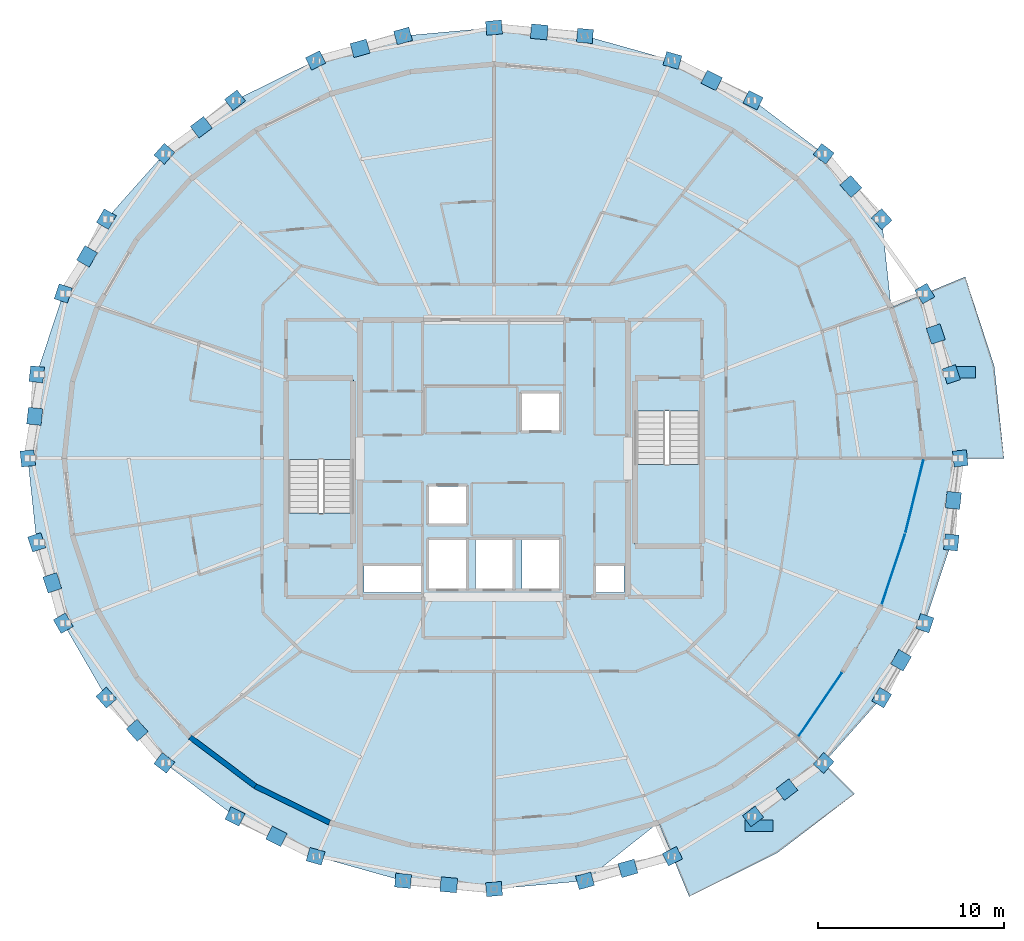
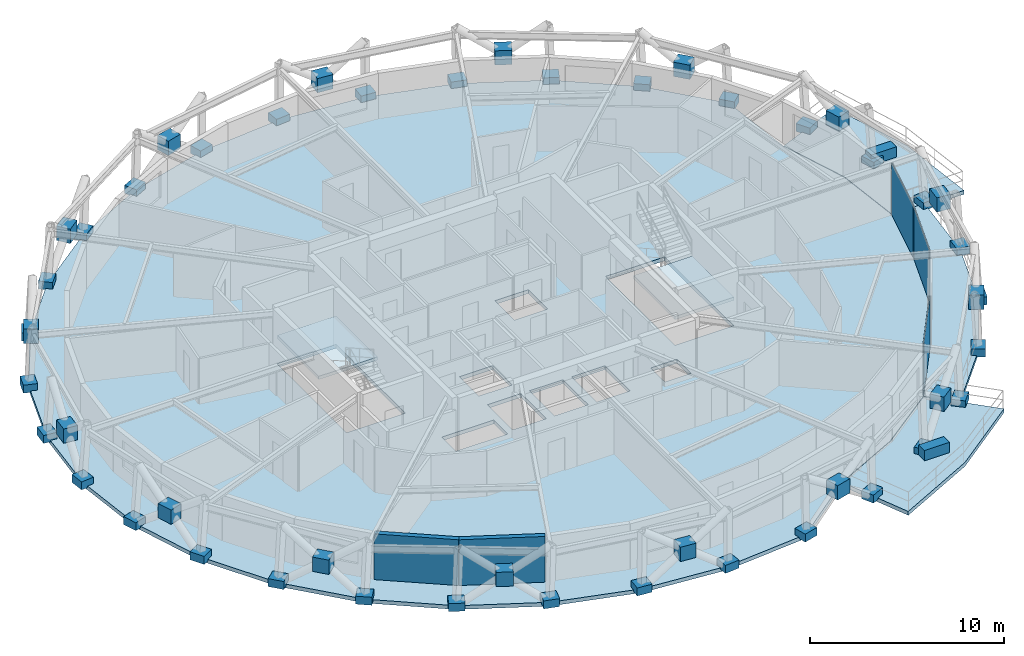
# One storey, part 6 of 12: 53 plates, 6 slabs, 2 walls, 4 elements without a shape of their own.
"""IFC4 building model written with IfcOpenShell, lengths in metres."""

from ifc_helpers import new_model, si_unit, direction, frame, frame_2d, origin, origin_2d, place, context, subcontext, project, spatial, polyline, rectangle, outline, extrude, material, layer, layer_set, type_object, element, aggregate, save


model = new_model("IFC4")

# Units and contexts
model_context = context("Model", 3, precision=1e-05, world=origin(), true_north=direction((0.0, 1.0)))
body_context = subcontext(model_context, "Body", "Model", "MODEL_VIEW")
ifc_project = project(units=[si_unit("LENGTHUNIT", "METRE"), si_unit("AREAUNIT", "SQUARE_METRE"), si_unit("VOLUMEUNIT", "CUBIC_METRE"), si_unit("PLANEANGLEUNIT", "RADIAN"), si_unit("MASSUNIT", "GRAM", prefix="KILO")], contexts=[model_context])

# Site, building, storey
site_placement = place(None, origin())
site = spatial("IfcSite", under=ifc_project, at=site_placement, CompositionType="ELEMENT")
building_placement = place(site_placement, origin())
building = spatial("IfcBuilding", under=site, at=building_placement, Name="Veldorina Hangang Commons", CompositionType="ELEMENT")
storey_placement = place(building_placement, frame((0.0, 0.0, 222.0)))
storey = spatial("IfcBuildingStorey", under=building, at=storey_placement, Name="L57", CompositionType="ELEMENT", Elevation=222.0)

# Curtain wall, plate
ifc_material_1 = material(Name="Glass Low-E Selective", Category="glass")
ifc_layer_1 = layer(ifc_material_1, 0.179931640625)
ifc_layer_set_1 = layer_set([ifc_layer_1], Name="Glass Low-E Selective")
curtain_wall_type = type_object("IfcCurtainWallType", Name="CW-SYS-Z3", PredefinedType="NOTDEFINED", material=ifc_layer_set_1)
curtain_wall_1_placement = place(storey_placement, origin())
curtain_wall_1 = element("IfcCurtainWall", 1, at=curtain_wall_1_placement, inside=storey, type_object=curtain_wall_type, Name="L57 unitised curtain wall CW-L57-R1", PredefinedType="NOTDEFINED")
ifc_material_2 = material(Name="Glass Low-E Triple IGU", Category="glass")
ifc_layer_2 = layer(ifc_material_2, 0.0400390625)
ifc_layer_set_2 = layer_set([ifc_layer_2], Name="Glass Low-E Triple IGU")
plate_type_1 = type_object("IfcPlateType", Name="CW-PNL-VIS", PredefinedType="CURTAIN_PANEL", material=ifc_layer_set_2)
plate_1_placement = place(storey_placement, frame((49.5419921875, 10.774658203125, 0.014892578125), z_axis=(0.0, 0.0, 1.0), x_axis=(0.564261150491, 0.825596362665, 0.0)))
plate_1 = element("IfcPlate", 2, at=plate_1_placement, type_object=plate_type_1, Name="CW-L57-R1 facet 1 glazed vision panel", PredefinedType="CURTAIN_PANEL", context=body_context, shape_type="SweptSolid", body=[
    extrude(rectangle(XDim=4.087158203125, YDim=0.0400390625, at=origin_2d()), origin(), (0.0, 0.0, 1.0), 3.2900390625),
])
aggregate(curtain_wall_1, [plate_1])

# Curtain wall, plates
curtain_wall_2_placement = place(storey_placement, origin())
curtain_wall_2 = element("IfcCurtainWall", 3, at=curtain_wall_2_placement, inside=storey, type_object=curtain_wall_type, Name="L57 unitised curtain wall CW-L57-R2", PredefinedType="NOTDEFINED")
plate_2_placement = place(storey_placement, frame((53.470703125, 18.038818359375, 0.014892578125), z_axis=(0.0, 0.0, 1.0), x_axis=(0.314622069686, 0.949217021163, 0.0)))
plate_2 = element("IfcPlate", 4, at=plate_2_placement, type_object=plate_type_1, Name="CW-L57-R2 facet 1 glazed vision panel", PredefinedType="CURTAIN_PANEL", context=body_context, shape_type="SweptSolid", body=[
    extrude(rectangle(XDim=3.89794921875, YDim=0.0400390625, at=origin_2d()), origin(), (0.0, 0.0, 1.0), 3.2900390625),
])
plate_3_placement = place(storey_placement, frame((54.60888671875, 21.9873046875, 0.014892578125), z_axis=(0.0, 0.0, 1.0), x_axis=(0.239533350884, 0.970888136612, 0.0)))
plate_3 = element("IfcPlate", 5, at=plate_3_placement, type_object=plate_type_1, Name="CW-L57-R2 facet 2 glazed vision panel", PredefinedType="CURTAIN_PANEL", context=body_context, shape_type="SweptSolid", body=[
    extrude(rectangle(XDim=3.96630859375, YDim=0.0400390625, at=origin_2d()), origin(), (0.0, 0.0, 1.0), 3.2900390625),
])
aggregate(curtain_wall_2, [plate_2, plate_3])

# Plates
ifc_material_3 = material(Name="Steel SM460-TMC", Category="steel")
ifc_layer_3 = layer(ifc_material_3, 0.035888671875)
ifc_layer_set_3 = layer_set([ifc_layer_3], Name="Steel SM460-TMC")
plate_type_2 = type_object("IfcPlateType", Name="PL-STAR-36", PredefinedType="USERDEFINED", material=ifc_layer_set_3)
for number, where, z_axis, x_axis, name in (
    (6, (57.0654296875, 24.0, -0.090087890625), (0.0, 0.0, 1.0), (-0.106021105572, 0.99436387966, 0.0), "L57 diagrid star-node gusset plate 00"),
    (7, (56.583984375, 28.51708984375, -0.090087890625), (0.0, 0.0, 1.0), (-0.312003296688, 0.950081019101, 0.0), "L57 diagrid star-node gusset plate 01"),
):
    element("IfcPlate", number, at=place(storey_placement, frame(where, z_axis=z_axis, x_axis=x_axis)), inside=storey, type_object=plate_type_2, Name=name, ObjectType="GUSSET PLATE", PredefinedType="USERDEFINED", context=body_context, shape_type="SweptSolid", body=[
        extrude(rectangle(XDim=0.85009765625, YDim=0.75, at=origin_2d()), origin(), (0.0, 0.0, 1.0), 0.5),
    ])
plate_4_placement = place(storey_placement, frame((55.747802734375, 30.688232421875, 1.3515625), z_axis=(0.0, 0.0, 1.0), x_axis=(-0.312003296688, 0.950081019101, 0.0)))
element("IfcPlate", 8, at=plate_4_placement, inside=storey, type_object=plate_type_2, Name="L57 diagrid X-crossing star-node gusset plate 01", ObjectType="GUSSET PLATE", PredefinedType="USERDEFINED", context=body_context, shape_type="SweptSolid", body=[
    extrude(rectangle(XDim=0.89990234375, YDim=0.780029296875, at=origin_2d()), origin(), (0.0, 0.0, 1.0), 0.89990234375),
])
for number, where, z_axis, x_axis, name in (
    (9, (55.157470703125, 32.86083984375, -0.090087890625), (0.0, 0.0, 1.0), (-0.500815987527, 0.865553780326, 0.0), "L57 diagrid star-node gusset plate 02"),
    (10, (52.84130859375, 36.864013671875, -0.090087890625), (0.0, 0.0, 1.0), (-0.66417415538, 0.747577883116, 0.0), "L57 diagrid star-node gusset plate 03"),
):
    element("IfcPlate", number, at=place(storey_placement, frame(where, z_axis=z_axis, x_axis=x_axis)), inside=storey, type_object=plate_type_2, Name=name, ObjectType="GUSSET PLATE", PredefinedType="USERDEFINED", context=body_context, shape_type="SweptSolid", body=[
        extrude(rectangle(XDim=0.85009765625, YDim=0.75, at=origin_2d()), origin(), (0.0, 0.0, 1.0), 0.5),
    ])
plate_5_placement = place(storey_placement, frame((51.184814453125, 38.618408203125, 1.3544921875), z_axis=(0.0, 0.0, 1.0), x_axis=(-0.66417415538, 0.747577883116, 0.0)))
element("IfcPlate", 11, at=plate_5_placement, inside=storey, type_object=plate_type_2, Name="L57 diagrid X-crossing star-node gusset plate 03", ObjectType="GUSSET PLATE", PredefinedType="USERDEFINED", context=body_context, shape_type="SweptSolid", body=[
    extrude(rectangle(XDim=0.89990234375, YDim=0.780029296875, at=origin_2d()), origin(), (0.0, 0.0, 1.0), 0.89990234375),
])
for number, where, z_axis, x_axis, name in (
    (12, (49.72412109375, 40.372802734375, -0.090087890625), (0.0, 0.0, 1.0), (-0.796888554096, 0.604126338071, 0.0), "L57 diagrid star-node gusset plate 04"),
    (13, (45.925537109375, 43.252197265625, -0.090087890625), (0.0, 0.0, 1.0), (-0.896648764238, 0.442742581633, 0.0), "L57 diagrid star-node gusset plate 05"),
):
    element("IfcPlate", number, at=place(storey_placement, frame(where, z_axis=z_axis, x_axis=x_axis)), inside=storey, type_object=plate_type_2, Name=name, ObjectType="GUSSET PLATE", PredefinedType="USERDEFINED", context=body_context, shape_type="SweptSolid", body=[
        extrude(rectangle(XDim=0.85009765625, YDim=0.75, at=origin_2d()), origin(), (0.0, 0.0, 1.0), 0.5),
    ])
plate_6_placement = place(storey_placement, frame((43.69873046875, 44.321044921875, 1.357666015625), z_axis=(0.0, 0.0, 1.0), x_axis=(-0.896648764238, 0.442742581633, 0.0)))
element("IfcPlate", 14, at=plate_6_placement, inside=storey, type_object=plate_type_2, Name="L57 diagrid X-crossing star-node gusset plate 05", ObjectType="GUSSET PLATE", PredefinedType="USERDEFINED", context=body_context, shape_type="SweptSolid", body=[
    extrude(rectangle(XDim=0.89990234375, YDim=0.780029296875, at=origin_2d()), origin(), (0.0, 0.0, 1.0), 0.89990234375),
])
for number, where, z_axis, x_axis, name in (
    (15, (41.59228515625, 45.39208984375, -0.090087890625), (0.0, 0.0, 1.0), (-0.962913397335, 0.26981065441, 0.0), "L57 diagrid star-node gusset plate 06"),
    (16, (36.889892578125, 46.709716796875, -0.090087890625), (0.0, 0.0, 1.0), (-0.995885980301, 0.090615198722, 0.0), "L57 diagrid star-node gusset plate 07"),
):
    element("IfcPlate", number, at=place(storey_placement, frame(where, z_axis=z_axis, x_axis=x_axis)), inside=storey, type_object=plate_type_2, Name=name, ObjectType="GUSSET PLATE", PredefinedType="USERDEFINED", context=body_context, shape_type="SweptSolid", body=[
        extrude(rectangle(XDim=0.85009765625, YDim=0.75, at=origin_2d()), origin(), (0.0, 0.0, 1.0), 0.5),
    ])
plate_7_placement = place(storey_placement, frame((34.43212890625, 46.927001953125, 1.359619140625), z_axis=(0.0, 0.0, 1.0), x_axis=(-0.995885980301, 0.090615198722, 0.0)))
element("IfcPlate", 17, at=plate_7_placement, inside=storey, type_object=plate_type_2, Name="L57 diagrid X-crossing star-node gusset plate 07", ObjectType="GUSSET PLATE", PredefinedType="USERDEFINED", context=body_context, shape_type="SweptSolid", body=[
    extrude(rectangle(XDim=0.89990234375, YDim=0.780029296875, at=origin_2d()), origin(), (0.0, 0.0, 1.0), 0.89990234375),
])
for number, where, z_axis, x_axis, name in (
    (18, (32.0, 47.154541015625, -0.090087890625), (0.0, 0.0, 1.0), (-0.995885980301, -0.090615198722, 0.0), "L57 diagrid star-node gusset plate 08"),
    (19, (27.110107421875, 46.709716796875, -0.090087890625), (0.0, 0.0, 1.0), (-0.962913397335, -0.26981065441, 0.0), "L57 diagrid star-node gusset plate 09"),
):
    element("IfcPlate", number, at=place(storey_placement, frame(where, z_axis=z_axis, x_axis=x_axis)), inside=storey, type_object=plate_type_2, Name=name, ObjectType="GUSSET PLATE", PredefinedType="USERDEFINED", context=body_context, shape_type="SweptSolid", body=[
        extrude(rectangle(XDim=0.85009765625, YDim=0.75, at=origin_2d()), origin(), (0.0, 0.0, 1.0), 0.5),
    ])
plate_8_placement = place(storey_placement, frame((24.798095703125, 46.0419921875, 1.35888671875), z_axis=(0.0, 0.0, 1.0), x_axis=(-0.962913397335, -0.26981065441, 0.0)))
element("IfcPlate", 20, at=plate_8_placement, inside=storey, type_object=plate_type_2, Name="L57 diagrid X-crossing star-node gusset plate 09", ObjectType="GUSSET PLATE", PredefinedType="USERDEFINED", context=body_context, shape_type="SweptSolid", body=[
    extrude(rectangle(XDim=0.89990234375, YDim=0.780029296875, at=origin_2d()), origin(), (0.0, 0.0, 1.0), 0.89990234375),
])
for number, where, z_axis, x_axis, name in (
    (21, (22.40771484375, 45.39208984375, -0.090087890625), (0.0, 0.0, 1.0), (-0.896648764238, -0.442742581633, 0.0), "L57 diagrid star-node gusset plate 10"),
    (22, (18.074462890625, 43.252197265625, -0.090087890625), (0.0, 0.0, 1.0), (-0.796888554096, -0.604126338071, 0.0), "L57 diagrid star-node gusset plate 11"),
):
    element("IfcPlate", number, at=place(storey_placement, frame(where, z_axis=z_axis, x_axis=x_axis)), inside=storey, type_object=plate_type_2, Name=name, ObjectType="GUSSET PLATE", PredefinedType="USERDEFINED", context=body_context, shape_type="SweptSolid", body=[
        extrude(rectangle(XDim=0.85009765625, YDim=0.75, at=origin_2d()), origin(), (0.0, 0.0, 1.0), 0.5),
    ])
plate_9_placement = place(storey_placement, frame((16.2626953125, 41.80322265625, 1.356201171875), z_axis=(0.0, 0.0, 1.0), x_axis=(-0.796888554096, -0.604126338071, 0.0)))
element("IfcPlate", 23, at=plate_9_placement, inside=storey, type_object=plate_type_2, Name="L57 diagrid X-crossing star-node gusset plate 11", ObjectType="GUSSET PLATE", PredefinedType="USERDEFINED", context=body_context, shape_type="SweptSolid", body=[
    extrude(rectangle(XDim=0.89990234375, YDim=0.780029296875, at=origin_2d()), origin(), (0.0, 0.0, 1.0), 0.89990234375),
])
for number, where, z_axis, x_axis, name in (
    (24, (14.27587890625, 40.372802734375, -0.090087890625), (0.0, 0.0, 1.0), (-0.66417415538, -0.747577883116, 0.0), "L57 diagrid star-node gusset plate 12"),
    (25, (11.15869140625, 36.864013671875, -0.090087890625), (0.0, 0.0, 1.0), (-0.500815987527, -0.865553780326, 0.0), "L57 diagrid star-node gusset plate 13"),
):
    element("IfcPlate", number, at=place(storey_placement, frame(where, z_axis=z_axis, x_axis=x_axis)), inside=storey, type_object=plate_type_2, Name=name, ObjectType="GUSSET PLATE", PredefinedType="USERDEFINED", context=body_context, shape_type="SweptSolid", body=[
        extrude(rectangle(XDim=0.85009765625, YDim=0.75, at=origin_2d()), origin(), (0.0, 0.0, 1.0), 0.5),
    ])
plate_10_placement = place(storey_placement, frame((10.121337890625, 34.85693359375, 1.352783203125), z_axis=(0.0, 0.0, 1.0), x_axis=(-0.500815987527, -0.865553780326, 0.0)))
element("IfcPlate", 26, at=plate_10_placement, inside=storey, type_object=plate_type_2, Name="L57 diagrid X-crossing star-node gusset plate 13", ObjectType="GUSSET PLATE", PredefinedType="USERDEFINED", context=body_context, shape_type="SweptSolid", body=[
    extrude(rectangle(XDim=0.89990234375, YDim=0.780029296875, at=origin_2d()), origin(), (0.0, 0.0, 1.0), 0.89990234375),
])
for number, where, z_axis, x_axis, name in (
    (27, (8.842529296875, 32.86083984375, -0.090087890625), (0.0, 0.0, 1.0), (-0.312003296688, -0.950081019101, 0.0), "L57 diagrid star-node gusset plate 14"),
    (28, (7.416015625, 28.51708984375, -0.090087890625), (0.0, 0.0, 1.0), (-0.106021105572, -0.99436387966, 0.0), "L57 diagrid star-node gusset plate 15"),
):
    element("IfcPlate", number, at=place(storey_placement, frame(where, z_axis=z_axis, x_axis=x_axis)), inside=storey, type_object=plate_type_2, Name=name, ObjectType="GUSSET PLATE", PredefinedType="USERDEFINED", context=body_context, shape_type="SweptSolid", body=[
        extrude(rectangle(XDim=0.85009765625, YDim=0.75, at=origin_2d()), origin(), (0.0, 0.0, 1.0), 0.5),
    ])
plate_11_placement = place(storey_placement, frame((7.3076171875, 26.2578125, 1.3505859375), z_axis=(0.0, 0.0, 1.0), x_axis=(-0.106021105572, -0.99436387966, 0.0)))
element("IfcPlate", 29, at=plate_11_placement, inside=storey, type_object=plate_type_2, Name="L57 diagrid X-crossing star-node gusset plate 15", ObjectType="GUSSET PLATE", PredefinedType="USERDEFINED", context=body_context, shape_type="SweptSolid", body=[
    extrude(rectangle(XDim=0.89990234375, YDim=0.780029296875, at=origin_2d()), origin(), (0.0, 0.0, 1.0), 0.89990234375),
])
for number, where, z_axis, x_axis, name in (
    (30, (6.9345703125, 24.0, -0.090087890625), (0.0, 0.0, 1.0), (0.106021105572, -0.99436387966, 0.0), "L57 diagrid star-node gusset plate 16"),
    (31, (7.416015625, 19.48291015625, -0.090087890625), (0.0, 0.0, 1.0), (0.312003296688, -0.950081019101, 0.0), "L57 diagrid star-node gusset plate 17"),
):
    element("IfcPlate", number, at=place(storey_placement, frame(where, z_axis=z_axis, x_axis=x_axis)), inside=storey, type_object=plate_type_2, Name=name, ObjectType="GUSSET PLATE", PredefinedType="USERDEFINED", context=body_context, shape_type="SweptSolid", body=[
        extrude(rectangle(XDim=0.85009765625, YDim=0.75, at=origin_2d()), origin(), (0.0, 0.0, 1.0), 0.5),
    ])
plate_12_placement = place(storey_placement, frame((8.252197265625, 17.311767578125, 1.3515625), z_axis=(0.0, 0.0, 1.0), x_axis=(0.312003296688, -0.950081019101, 0.0)))
element("IfcPlate", 32, at=plate_12_placement, inside=storey, type_object=plate_type_2, Name="L57 diagrid X-crossing star-node gusset plate 17", ObjectType="GUSSET PLATE", PredefinedType="USERDEFINED", context=body_context, shape_type="SweptSolid", body=[
    extrude(rectangle(XDim=0.89990234375, YDim=0.780029296875, at=origin_2d()), origin(), (0.0, 0.0, 1.0), 0.89990234375),
])
for number, where, z_axis, x_axis, name in (
    (33, (8.842529296875, 15.13916015625, -0.090087890625), (0.0, 0.0, 1.0), (0.500815987527, -0.865553780326, 0.0), "L57 diagrid star-node gusset plate 18"),
    (34, (11.15869140625, 11.135986328125, -0.090087890625), (0.0, 0.0, 1.0), (0.66417415538, -0.747577883116, 0.0), "L57 diagrid star-node gusset plate 19"),
):
    element("IfcPlate", number, at=place(storey_placement, frame(where, z_axis=z_axis, x_axis=x_axis)), inside=storey, type_object=plate_type_2, Name=name, ObjectType="GUSSET PLATE", PredefinedType="USERDEFINED", context=body_context, shape_type="SweptSolid", body=[
        extrude(rectangle(XDim=0.85009765625, YDim=0.75, at=origin_2d()), origin(), (0.0, 0.0, 1.0), 0.5),
    ])
plate_13_placement = place(storey_placement, frame((12.815185546875, 9.381591796875, 1.3544921875), z_axis=(0.0, 0.0, 1.0), x_axis=(0.66417415538, -0.747577883116, 0.0)))
element("IfcPlate", 35, at=plate_13_placement, inside=storey, type_object=plate_type_2, Name="L57 diagrid X-crossing star-node gusset plate 19", ObjectType="GUSSET PLATE", PredefinedType="USERDEFINED", context=body_context, shape_type="SweptSolid", body=[
    extrude(rectangle(XDim=0.89990234375, YDim=0.780029296875, at=origin_2d()), origin(), (0.0, 0.0, 1.0), 0.89990234375),
])
for number, where, z_axis, x_axis, name in (
    (36, (14.27587890625, 7.627197265625, -0.090087890625), (0.0, 0.0, 1.0), (0.796888554096, -0.604126338071, 0.0), "L57 diagrid star-node gusset plate 20"),
    (37, (18.074462890625, 4.747802734375, -0.090087890625), (0.0, 0.0, 1.0), (0.896648764238, -0.442742581633, 0.0), "L57 diagrid star-node gusset plate 21"),
):
    element("IfcPlate", number, at=place(storey_placement, frame(where, z_axis=z_axis, x_axis=x_axis)), inside=storey, type_object=plate_type_2, Name=name, ObjectType="GUSSET PLATE", PredefinedType="USERDEFINED", context=body_context, shape_type="SweptSolid", body=[
        extrude(rectangle(XDim=0.85009765625, YDim=0.75, at=origin_2d()), origin(), (0.0, 0.0, 1.0), 0.5),
    ])
plate_14_placement = place(storey_placement, frame((20.30126953125, 3.678955078125, 1.357666015625), z_axis=(0.0, 0.0, 1.0), x_axis=(0.896648764238, -0.442742581633, 0.0)))
element("IfcPlate", 38, at=plate_14_placement, inside=storey, type_object=plate_type_2, Name="L57 diagrid X-crossing star-node gusset plate 21", ObjectType="GUSSET PLATE", PredefinedType="USERDEFINED", context=body_context, shape_type="SweptSolid", body=[
    extrude(rectangle(XDim=0.89990234375, YDim=0.780029296875, at=origin_2d()), origin(), (0.0, 0.0, 1.0), 0.89990234375),
])
for number, where, z_axis, x_axis, name in (
    (39, (22.40771484375, 2.60791015625, -0.090087890625), (0.0, 0.0, 1.0), (0.962913397335, -0.26981065441, 0.0), "L57 diagrid star-node gusset plate 22"),
    (40, (27.110107421875, 1.290283203125, -0.090087890625), (0.0, 0.0, 1.0), (0.995885980301, -0.090615198722, 0.0), "L57 diagrid star-node gusset plate 23"),
):
    element("IfcPlate", number, at=place(storey_placement, frame(where, z_axis=z_axis, x_axis=x_axis)), inside=storey, type_object=plate_type_2, Name=name, ObjectType="GUSSET PLATE", PredefinedType="USERDEFINED", context=body_context, shape_type="SweptSolid", body=[
        extrude(rectangle(XDim=0.85009765625, YDim=0.75, at=origin_2d()), origin(), (0.0, 0.0, 1.0), 0.5),
    ])
plate_15_placement = place(storey_placement, frame((29.56787109375, 1.072998046875, 1.359619140625), z_axis=(0.0, 0.0, 1.0), x_axis=(0.995885980301, -0.090615198722, 0.0)))
element("IfcPlate", 41, at=plate_15_placement, inside=storey, type_object=plate_type_2, Name="L57 diagrid X-crossing star-node gusset plate 23", ObjectType="GUSSET PLATE", PredefinedType="USERDEFINED", context=body_context, shape_type="SweptSolid", body=[
    extrude(rectangle(XDim=0.89990234375, YDim=0.780029296875, at=origin_2d()), origin(), (0.0, 0.0, 1.0), 0.89990234375),
])
for number, where, z_axis, x_axis, name in (
    (42, (32.0, 0.845458984375, -0.090087890625), (0.0, 0.0, 1.0), (0.995885980301, 0.090615198722, 0.0), "L57 diagrid star-node gusset plate 24"),
    (43, (36.889892578125, 1.290283203125, -0.090087890625), (0.0, 0.0, 1.0), (0.962913397335, 0.26981065441, 0.0), "L57 diagrid star-node gusset plate 25"),
):
    element("IfcPlate", number, at=place(storey_placement, frame(where, z_axis=z_axis, x_axis=x_axis)), inside=storey, type_object=plate_type_2, Name=name, ObjectType="GUSSET PLATE", PredefinedType="USERDEFINED", context=body_context, shape_type="SweptSolid", body=[
        extrude(rectangle(XDim=0.85009765625, YDim=0.75, at=origin_2d()), origin(), (0.0, 0.0, 1.0), 0.5),
    ])
plate_16_placement = place(storey_placement, frame((39.201904296875, 1.9580078125, 1.35888671875), z_axis=(0.0, 0.0, 1.0), x_axis=(0.962913397335, 0.26981065441, 0.0)))
element("IfcPlate", 44, at=plate_16_placement, inside=storey, type_object=plate_type_2, Name="L57 diagrid X-crossing star-node gusset plate 25", ObjectType="GUSSET PLATE", PredefinedType="USERDEFINED", context=body_context, shape_type="SweptSolid", body=[
    extrude(rectangle(XDim=0.89990234375, YDim=0.780029296875, at=origin_2d()), origin(), (0.0, 0.0, 1.0), 0.89990234375),
])
for number, where, z_axis, x_axis, name in (
    (45, (41.59228515625, 2.60791015625, -0.090087890625), (0.0, 0.0, 1.0), (0.896648764238, 0.442742581633, 0.0), "L57 diagrid star-node gusset plate 26"),
    (46, (45.925537109375, 4.747802734375, -0.090087890625), (0.0, 0.0, 1.0), (0.796888554096, 0.604126338071, 0.0), "L57 diagrid star-node gusset plate 27"),
):
    element("IfcPlate", number, at=place(storey_placement, frame(where, z_axis=z_axis, x_axis=x_axis)), inside=storey, type_object=plate_type_2, Name=name, ObjectType="GUSSET PLATE", PredefinedType="USERDEFINED", context=body_context, shape_type="SweptSolid", body=[
        extrude(rectangle(XDim=0.85009765625, YDim=0.75, at=origin_2d()), origin(), (0.0, 0.0, 1.0), 0.5),
    ])
plate_17_placement = place(storey_placement, frame((47.7373046875, 6.19677734375, 1.356201171875), z_axis=(0.0, 0.0, 1.0), x_axis=(0.796888554096, 0.604126338071, 0.0)))
element("IfcPlate", 47, at=plate_17_placement, inside=storey, type_object=plate_type_2, Name="L57 diagrid X-crossing star-node gusset plate 27", ObjectType="GUSSET PLATE", PredefinedType="USERDEFINED", context=body_context, shape_type="SweptSolid", body=[
    extrude(rectangle(XDim=0.89990234375, YDim=0.780029296875, at=origin_2d()), origin(), (0.0, 0.0, 1.0), 0.89990234375),
])
for number, where, z_axis, x_axis, name in (
    (48, (49.72412109375, 7.627197265625, -0.090087890625), (0.0, 0.0, 1.0), (0.66417415538, 0.747577883116, 0.0), "L57 diagrid star-node gusset plate 28"),
    (49, (52.84130859375, 11.135986328125, -0.090087890625), (0.0, 0.0, 1.0), (0.500815987527, 0.865553780326, 0.0), "L57 diagrid star-node gusset plate 29"),
):
    element("IfcPlate", number, at=place(storey_placement, frame(where, z_axis=z_axis, x_axis=x_axis)), inside=storey, type_object=plate_type_2, Name=name, ObjectType="GUSSET PLATE", PredefinedType="USERDEFINED", context=body_context, shape_type="SweptSolid", body=[
        extrude(rectangle(XDim=0.85009765625, YDim=0.75, at=origin_2d()), origin(), (0.0, 0.0, 1.0), 0.5),
    ])
plate_18_placement = place(storey_placement, frame((53.878662109375, 13.14306640625, 1.352783203125), z_axis=(0.0, 0.0, 1.0), x_axis=(0.500815987527, 0.865553780326, 0.0)))
element("IfcPlate", 50, at=plate_18_placement, inside=storey, type_object=plate_type_2, Name="L57 diagrid X-crossing star-node gusset plate 29", ObjectType="GUSSET PLATE", PredefinedType="USERDEFINED", context=body_context, shape_type="SweptSolid", body=[
    extrude(rectangle(XDim=0.89990234375, YDim=0.780029296875, at=origin_2d()), origin(), (0.0, 0.0, 1.0), 0.89990234375),
])
for number, where, z_axis, x_axis, name in (
    (51, (55.157470703125, 15.13916015625, -0.090087890625), (0.0, 0.0, 1.0), (0.312003296688, 0.950081019101, 0.0), "L57 diagrid star-node gusset plate 30"),
    (52, (56.583984375, 19.48291015625, -0.090087890625), (0.0, 0.0, 1.0), (0.106021105572, 0.99436387966, 0.0), "L57 diagrid star-node gusset plate 31"),
):
    element("IfcPlate", number, at=place(storey_placement, frame(where, z_axis=z_axis, x_axis=x_axis)), inside=storey, type_object=plate_type_2, Name=name, ObjectType="GUSSET PLATE", PredefinedType="USERDEFINED", context=body_context, shape_type="SweptSolid", body=[
        extrude(rectangle(XDim=0.85009765625, YDim=0.75, at=origin_2d()), origin(), (0.0, 0.0, 1.0), 0.5),
    ])
plate_19_placement = place(storey_placement, frame((56.6923828125, 21.7421875, 1.3505859375), z_axis=(0.0, 0.0, 1.0), x_axis=(0.106021105572, 0.99436387966, 0.0)))
element("IfcPlate", 53, at=plate_19_placement, inside=storey, type_object=plate_type_2, Name="L57 diagrid X-crossing star-node gusset plate 31", ObjectType="GUSSET PLATE", PredefinedType="USERDEFINED", context=body_context, shape_type="SweptSolid", body=[
    extrude(rectangle(XDim=0.89990234375, YDim=0.780029296875, at=origin_2d()), origin(), (0.0, 0.0, 1.0), 0.89990234375),
])
ifc_material_4 = material(Name="Stone Roman Travertine", Category="masonry")
ifc_layer_4 = layer(ifc_material_4, 0.64990234375)
ifc_layer_set_4 = layer_set([ifc_layer_4], Name="Stone Roman Travertine")
plate_type_3 = type_object("IfcPlateType", Name="PLN-TBAL-1800", PredefinedType="USERDEFINED", material=ifc_layer_set_4)
for number, where, z_axis, x_axis, name in (
    (54, (46.24169921875, 4.25439453125, 0.0), (0.0, 0.0, 1.0), (1.0, 0.0, 0.0), "L57 TREE BALCONY PLANTER 1"),
    (55, (57.141845703125, 28.6328125, 0.0), (0.0, 0.0, 1.0), (1.0, 0.0, 0.0), "L57 TREE BALCONY PLANTER 2"),
):
    element("IfcPlate", number, at=place(storey_placement, frame(where, z_axis=z_axis, x_axis=x_axis)), inside=storey, type_object=plate_type_3, Name=name, ObjectType="PLANTER", PredefinedType="USERDEFINED", context=body_context, shape_type="SweptSolid", body=[
        extrude(rectangle(XDim=1.5, YDim=0.60009765625, at=origin_2d()), origin(), (0.0, 0.0, 1.0), 0.64990234375),
    ])

# Slabs
ifc_material_5 = material(Name="Concrete C40/50", Category="concrete")
ifc_layer_5 = layer(ifc_material_5, 0.239990234375)
ifc_layer_set_5 = layer_set([ifc_layer_5], Name="Concrete C40/50")
slab_type_1 = type_object("IfcSlabType", Name="SL-FLR-240", PredefinedType="FLOOR", material=ifc_layer_set_5)
slab_1_placement = place(storey_placement, frame((0.0, 0.0, -0.239990234375)))
element("IfcSlab", 56, at=slab_1_placement, inside=storey, type_object=slab_type_1, Name="L57 tower structural floor slab", PredefinedType="FLOOR", context=body_context, shape_type="SweptSolid", body=[
    extrude(outline(polyline([(55.10546875, 24.0), (54.66162109375, 28.134765625), (53.3466796875, 32.11083984375), (52.84130859375, 36.864013671875), (49.72412109375, 40.372802734375), (45.925537109375, 43.252197265625), (41.59228515625, 45.39208984375), (36.889892578125, 46.709716796875), (32.0, 47.154541015625), (27.110107421875, 46.709716796875), (22.40771484375, 45.39208984375), (18.074462890625, 43.252197265625), (14.27587890625, 40.372802734375), (11.15869140625, 36.864013671875), (8.842529296875, 32.86083984375), (7.416015625, 28.51708984375), (6.9345703125, 24.0), (7.416015625, 19.48291015625), (8.842529296875, 15.13916015625), (11.15869140625, 11.135986328125), (14.27587890625, 7.627197265625), (18.074462890625, 4.747802734375), (22.40771484375, 2.60791015625), (27.110107421875, 1.290283203125), (32.0, 0.845458984375), (36.889892578125, 1.290283203125), (40.842041015625, 4.418701171875), (44.836669921875, 6.37744140625), (48.338134765625, 9.01318359375), (50.745849609375, 12.5361328125), (52.829345703125, 16.103515625), (54.1123046875, 19.974365234375), (55.10546875, 24.0)]), holes=[polyline([(20.949951171875, 21.05810546875), (20.949951171875, 28.199951171875), (24.449951171875, 28.199951171875), (24.449951171875, 21.05810546875), (20.949951171875, 21.05810546875)]), polyline([(43.050048828125, 26.5419921875), (43.050048828125, 19.39990234375), (39.550048828125, 19.39990234375), (39.550048828125, 26.5419921875), (43.050048828125, 26.5419921875)]), polyline([(33.5, 27.5), (35.5, 27.5), (35.5, 25.5), (33.5, 25.5), (33.5, 27.5)]), polyline([(28.5, 22.5), (30.5, 22.5), (30.5, 20.5), (28.5, 20.5), (28.5, 22.5)]), polyline([(28.5, 19.60009765625), (30.5, 19.60009765625), (30.5, 17.0), (28.5, 17.0), (28.5, 19.60009765625)]), polyline([(31.0, 19.60009765625), (33.0, 19.60009765625), (33.0, 17.0), (31.0, 17.0), (31.0, 19.60009765625)]), polyline([(33.5, 19.60009765625), (35.5, 19.60009765625), (35.5, 17.0), (33.5, 17.0), (33.5, 19.60009765625)]), polyline([(25.0, 18.25), (28.10009765625, 18.25), (28.10009765625, 16.800048828125), (25.0, 16.800048828125), (25.0, 18.25)]), polyline([(37.449951171875, 18.25), (39.0, 18.25), (39.0, 16.800048828125), (37.449951171875, 16.800048828125), (37.449951171875, 18.25)])]), origin(), (0.0, 0.0, 1.0), 0.239990234375),
])
slab_2_placement = place(storey_placement, frame((0.0, 0.0, -0.239990234375)))
element("IfcSlab", 57, at=slab_2_placement, inside=storey, type_object=slab_type_1, Name="L57 sky-garden loggia outdoor slab", PredefinedType="FLOOR", context=body_context, shape_type="SweptSolid", body=[
    extrude(outline(polyline([(57.0654296875, 24.0), (56.583984375, 19.48291015625), (55.157470703125, 15.13916015625), (52.84130859375, 11.135986328125), (49.72412109375, 7.627197265625), (48.3486328125, 9.002685546875), (48.349609375, 9.00341796875), (48.3505859375, 9.004638671875), (50.75830078125, 12.527587890625), (50.7587890625, 12.528564453125), (52.84228515625, 16.095947265625), (52.843017578125, 16.097412109375), (52.843505859375, 16.098876953125), (54.12646484375, 19.9697265625), (54.126953125, 19.970703125), (55.1201171875, 23.996337890625), (55.120361328125, 23.997802734375), (55.12060546875, 23.9990234375), (55.12060546875, 24.0), (57.0654296875, 24.0)])), origin(), (0.0, 0.0, 1.0), 0.239990234375),
])
slab_3_placement = place(storey_placement, frame((0.0, 0.0, -0.239990234375)))
element("IfcSlab", 58, at=slab_3_placement, inside=storey, type_object=slab_type_1, Name="L57 planted tree balcony slab 1", PredefinedType="FLOOR", context=body_context, shape_type="SweptSolid", body=[
    extrude(outline(polyline([(44.847900390625, 6.36083984375), (48.352294921875, 8.9990234375), (51.3857421875, 5.965576171875), (47.231201171875, 2.793701171875), (42.491455078125, 0.43701171875), (40.849609375, 4.400390625), (44.847900390625, 6.36083984375)])), origin(), (0.0, 0.0, 1.0), 0.239990234375),
])
slab_4_placement = place(storey_placement, frame((0.0, 0.0, -0.239990234375)))
element("IfcSlab", 59, at=slab_4_placement, inside=storey, type_object=slab_type_1, Name="L57 planted tree balcony slab 2", PredefinedType="FLOOR", context=body_context, shape_type="SweptSolid", body=[
    extrude(outline(polyline([(54.68115234375, 28.138671875), (53.365234375, 32.118408203125), (57.32861328125, 33.760009765625), (58.888671875, 28.9755859375), (59.41552734375, 24.0), (55.12548828125, 24.0), (54.68115234375, 28.138671875)])), origin(), (0.0, 0.0, 1.0), 0.239990234375),
])

# Stair, slab
stair_type = type_object("IfcStairType", Name="STR-DOG-1650-20R", PredefinedType="HALF_TURN_STAIR", material=ifc_material_5)
stair_1_placement = place(storey_placement, origin())
stair_1 = element("IfcStair", 60, at=stair_1_placement, inside=storey, type_object=stair_type, Name="L57 Exit stair ST-1", PredefinedType="HALF_TURN_STAIR")
ifc_layer_6 = layer(ifc_material_5, 0.199951171875)
ifc_layer_set_6 = layer_set([ifc_layer_6], Name="Concrete C40/50")
slab_type_2 = type_object("IfcSlabType", Name="SL-LND-200", PredefinedType="LANDING", material=ifc_layer_set_6)
slab_5_placement = place(storey_placement, frame((0.0, 0.0, 1.60009765625)))
slab_5 = element("IfcSlab", 61, at=slab_5_placement, type_object=slab_type_2, Name="ST-1 landing 1", PredefinedType="LANDING", context=body_context, shape_type="SweptSolid", body=[
    extrude(outline(polyline([(24.449951171875, 23.929931640625), (24.449951171875, 28.199951171875), (20.949951171875, 28.199951171875), (20.949951171875, 23.929931640625), (24.449951171875, 23.929931640625)])), origin(), (0.0, 0.0, 1.0), 0.199951171875),
])
aggregate(stair_1, [slab_5])

stair_2_placement = place(storey_placement, origin())
stair_2 = element("IfcStair", 62, at=stair_2_placement, inside=storey, type_object=stair_type, Name="L57 Exit stair ST-2", PredefinedType="HALF_TURN_STAIR")
slab_6_placement = place(storey_placement, frame((0.0, 0.0, 1.60009765625)))
slab_6 = element("IfcSlab", 63, at=slab_6_placement, type_object=slab_type_2, Name="ST-2 landing 1", PredefinedType="LANDING", context=body_context, shape_type="SweptSolid", body=[
    extrude(outline(polyline([(39.550048828125, 23.669921875), (39.550048828125, 19.39990234375), (43.050048828125, 19.39990234375), (43.050048828125, 23.669921875), (39.550048828125, 23.669921875)])), origin(), (0.0, 0.0, 1.0), 0.199951171875),
])
aggregate(stair_2, [slab_6])

# Walls
ifc_layer_7 = layer(ifc_material_4, 0.280029296875)
ifc_layer_set_7 = layer_set([ifc_layer_7], Name="Stone Roman Travertine")
wall_type = type_object("IfcWallType", Name="EW-TRAV-280", PredefinedType="STANDARD", material=ifc_layer_set_7)
wall_1_placement = place(storey_placement, frame((15.661865234375, 9.01318359375, 0.0), z_axis=(0.0, 0.0, 1.0), x_axis=(0.798942565337, -0.601407330594, 0.0)))
element("IfcWall", 64, at=wall_1_placement, inside=storey, type_object=wall_type, Name="L57 travertine facade wall 20", PredefinedType="STANDARD", context=body_context, shape_type="SweptSolid", body=[
    extrude(rectangle(XDim=4.382568359375, YDim=0.280029296875, at=frame_2d((2.19140625, 0.0))), origin(), (0.0, 0.0, 1.0), 2.8798828125),
])
wall_2_placement = place(storey_placement, frame((19.163330078125, 6.37744140625, 0.0), z_axis=(0.0, 0.0, 1.0), x_axis=(0.897868409718, -0.440263919519, 0.0)))
element("IfcWall", 65, at=wall_2_placement, inside=storey, type_object=wall_type, Name="L57 travertine facade wall 21", PredefinedType="STANDARD", context=body_context, shape_type="SweptSolid", body=[
    extrude(rectangle(XDim=4.448974609375, YDim=0.280029296875, at=frame_2d((2.224609375, 0.0))), origin(), (0.0, 0.0, 1.0), 2.8798828125),
])

save(model, "model.ifc")
